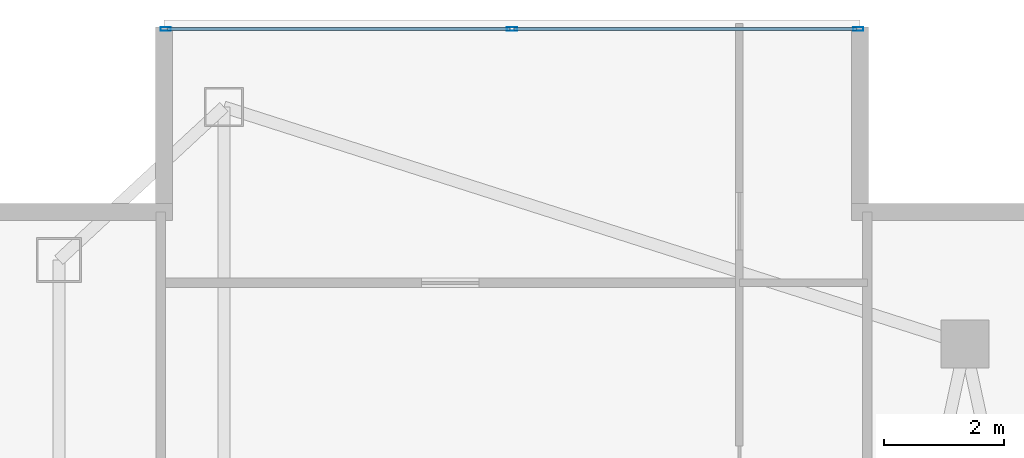
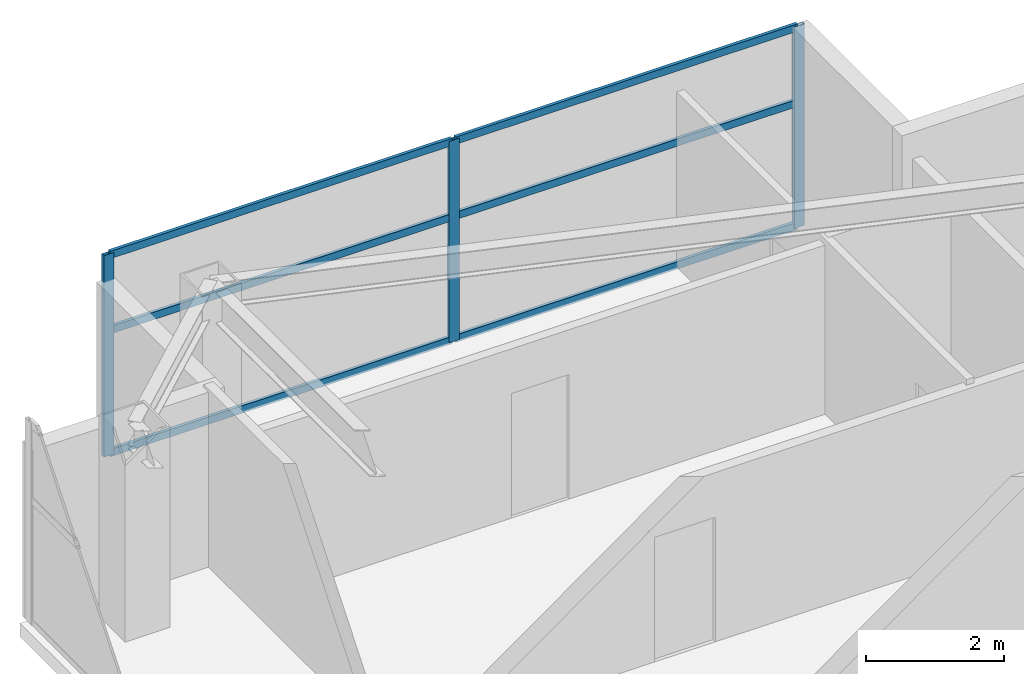
# One storey, part 21 of 28: 9 members, 1 element without a shape of its own.
"""IFC4 building model written with IfcOpenShell, lengths in metres."""

from ifc_helpers import new_model, si_unit, direction, frame, origin, origin_2d, place, context, subcontext, project, spatial, hollow_rectangle, extrude, material, layer, layer_set, material_profile, profile_set, type_object, element, aggregate, save


model = new_model("IFC4")

# Units and contexts
model_context = context("Model", 3, precision=1e-05, world=origin(), true_north=direction((0.0, 1.0)))
body_context = subcontext(model_context, "Body", "Model", "MODEL_VIEW")
ifc_project = project(units=[si_unit("LENGTHUNIT", "METRE"), si_unit("AREAUNIT", "SQUARE_METRE"), si_unit("VOLUMEUNIT", "CUBIC_METRE"), si_unit("PLANEANGLEUNIT", "RADIAN"), si_unit("MASSUNIT", "GRAM", prefix="KILO")], contexts=[model_context])

# Site, building, storey
site_placement = place(None, origin())
site = spatial("IfcSite", under=ifc_project, at=site_placement, CompositionType="ELEMENT")
building_placement = place(site_placement, origin())
building = spatial("IfcBuilding", under=site, at=building_placement, Name="Calvorn Quay Hotel", CompositionType="ELEMENT")
storey_placement = place(building_placement, frame((0.0, 0.0, 274.89990234375)))
storey = spatial("IfcBuildingStorey", under=building, at=storey_placement, Name="L68", CompositionType="ELEMENT", Elevation=274.89990234375)

# Curtain wall, members
ifc_material_1 = material(Name="Champagne Bronze Anodised Aluminium and Low-E Glass", Category="aluminium")
ifc_layer = layer(ifc_material_1, 0.219970703125)
ifc_layer_set = layer_set([ifc_layer], Name="CW-SYS-Z4")
curtain_wall_type = type_object("IfcCurtainWallType", Name="CW-SYS-Z4", PredefinedType="NOTDEFINED", material=ifc_layer_set)
curtain_wall_placement = place(storey_placement, origin())
curtain_wall = element("IfcCurtainWall", 1, at=curtain_wall_placement, inside=storey, type_object=curtain_wall_type, Name="Inner Court Curtain Wall L68-N1", PredefinedType="NOTDEFINED")
ifc_material_2 = material(Name="Champagne Bronze Anodised Aluminium 6063-T6", Category="aluminium")
ifc_material_profile_1 = material_profile(ifc_material_2, hollow_rectangle(XDim=0.06494140625, YDim=0.169921875, WallThickness=0.00341796875, at=origin_2d()), Name="ALU-M170x65x3.5")
ifc_profile_set_1 = profile_set([ifc_material_profile_1], Name="Champagne Bronze Anodised Aluminium 6063-T6")
member_type_1 = type_object("IfcMemberType", Name="CW-SYS-Z4-MUL", PredefinedType="MULLION", material=ifc_profile_set_1)
member_1_placement = place(storey_placement, frame((14.77001953125, 50.85009765625, 0.0), z_axis=(0.0, 0.0, 1.0), x_axis=(0.0, -1.0, 0.0)))
member_1 = element("IfcMember", 2, at=member_1_placement, type_object=member_type_1, Name="CW-L68-N1 mullion 1", PredefinedType="MULLION", context=body_context, shape_type="SweptSolid", body=[
    extrude(hollow_rectangle(XDim=0.06494140625, YDim=0.169921875, WallThickness=0.00341796875, at=origin_2d()), origin(), (0.0, 0.0, 1.0), 3.56005859375),
])
member_2_placement = place(storey_placement, frame((9.0, 50.85009765625, 0.0), z_axis=(0.0, 0.0, 1.0), x_axis=(0.0, -1.0, 0.0)))
member_2 = element("IfcMember", 3, at=member_2_placement, type_object=member_type_1, Name="CW-L68-N1 mullion 2", PredefinedType="MULLION", context=body_context, shape_type="SweptSolid", body=[
    extrude(hollow_rectangle(XDim=0.06494140625, YDim=0.169921875, WallThickness=0.00341796875, at=origin_2d()), origin(), (0.0, 0.0, 1.0), 3.56005859375),
])
member_3_placement = place(storey_placement, frame((3.22998046875, 50.85009765625, 0.0), z_axis=(0.0, 0.0, 1.0), x_axis=(0.0, -1.0, 0.0)))
member_3 = element("IfcMember", 4, at=member_3_placement, type_object=member_type_1, Name="CW-L68-N1 mullion 3", PredefinedType="MULLION", context=body_context, shape_type="SweptSolid", body=[
    extrude(hollow_rectangle(XDim=0.06494140625, YDim=0.169921875, WallThickness=0.00341796875, at=origin_2d()), origin(), (0.0, 0.0, 1.0), 3.56005859375),
])
ifc_material_3 = material(Name="Champagne Bronze Anodised Aluminium 6063-T6", Category="aluminium")
ifc_material_profile_2 = material_profile(ifc_material_3, hollow_rectangle(XDim=0.054931640625, YDim=0.1298828125, WallThickness=0.003173828125, at=origin_2d()), Name="ALU-T130x55x3.2")
ifc_profile_set_2 = profile_set([ifc_material_profile_2], Name="Champagne Bronze Anodised Aluminium 6063-T6")
member_type_2 = type_object("IfcMemberType", Name="CW-SYS-Z4-TRN", PredefinedType="USERDEFINED", material=ifc_profile_set_2)
member_4_placement = place(storey_placement, frame((14.739990234375, 50.85009765625, 0.030029296875), z_axis=(-1.0, 0.0, 0.0), x_axis=(0.0, -1.0, 0.0)))
member_4 = element("IfcMember", 5, at=member_4_placement, type_object=member_type_2, Name="CW-L68-N1 transom 1.1", ObjectType="TRANSOM", PredefinedType="USERDEFINED", context=body_context, shape_type="SweptSolid", body=[
    extrude(hollow_rectangle(XDim=0.054931640625, YDim=0.1298828125, WallThickness=0.003173828125, at=origin_2d()), origin(), (0.0, 0.0, 1.0), 5.7099609375),
])
member_5_placement = place(storey_placement, frame((14.739990234375, 50.85009765625, 2.2001953125), z_axis=(-1.0, 0.0, 0.0), x_axis=(0.0, -1.0, 0.0)))
member_5 = element("IfcMember", 6, at=member_5_placement, type_object=member_type_2, Name="CW-L68-N1 transom 1.2", ObjectType="TRANSOM", PredefinedType="USERDEFINED", context=body_context, shape_type="SweptSolid", body=[
    extrude(hollow_rectangle(XDim=0.054931640625, YDim=0.1298828125, WallThickness=0.003173828125, at=origin_2d()), origin(), (0.0, 0.0, 1.0), 5.7099609375),
])
member_6_placement = place(storey_placement, frame((14.739990234375, 50.85009765625, 3.530029296875), z_axis=(-1.0, 0.0, 0.0), x_axis=(0.0, -1.0, 0.0)))
member_6 = element("IfcMember", 7, at=member_6_placement, type_object=member_type_2, Name="CW-L68-N1 transom 1.3", ObjectType="TRANSOM", PredefinedType="USERDEFINED", context=body_context, shape_type="SweptSolid", body=[
    extrude(hollow_rectangle(XDim=0.054931640625, YDim=0.1298828125, WallThickness=0.003173828125, at=origin_2d()), origin(), (0.0, 0.0, 1.0), 5.7099609375),
])
member_7_placement = place(storey_placement, frame((8.969970703125, 50.85009765625, 0.030029296875), z_axis=(-1.0, 0.0, 0.0), x_axis=(0.0, -1.0, 0.0)))
member_7 = element("IfcMember", 8, at=member_7_placement, type_object=member_type_2, Name="CW-L68-N1 transom 2.1", ObjectType="TRANSOM", PredefinedType="USERDEFINED", context=body_context, shape_type="SweptSolid", body=[
    extrude(hollow_rectangle(XDim=0.054931640625, YDim=0.1298828125, WallThickness=0.003173828125, at=origin_2d()), origin(), (0.0, 0.0, 1.0), 5.7099609375),
])
member_8_placement = place(storey_placement, frame((8.969970703125, 50.85009765625, 2.2001953125), z_axis=(-1.0, 0.0, 0.0), x_axis=(0.0, -1.0, 0.0)))
member_8 = element("IfcMember", 9, at=member_8_placement, type_object=member_type_2, Name="CW-L68-N1 transom 2.2", ObjectType="TRANSOM", PredefinedType="USERDEFINED", context=body_context, shape_type="SweptSolid", body=[
    extrude(hollow_rectangle(XDim=0.054931640625, YDim=0.1298828125, WallThickness=0.003173828125, at=origin_2d()), origin(), (0.0, 0.0, 1.0), 5.7099609375),
])
member_9_placement = place(storey_placement, frame((8.969970703125, 50.85009765625, 3.530029296875), z_axis=(-1.0, 0.0, 0.0), x_axis=(0.0, -1.0, 0.0)))
member_9 = element("IfcMember", 10, at=member_9_placement, type_object=member_type_2, Name="CW-L68-N1 transom 2.3", ObjectType="TRANSOM", PredefinedType="USERDEFINED", context=body_context, shape_type="SweptSolid", body=[
    extrude(hollow_rectangle(XDim=0.054931640625, YDim=0.1298828125, WallThickness=0.003173828125, at=origin_2d()), origin(), (0.0, 0.0, 1.0), 5.7099609375),
])
aggregate(curtain_wall, [member_1, member_2, member_3, member_4, member_5, member_6, member_7, member_8, member_9])

save(model, "model.ifc")
